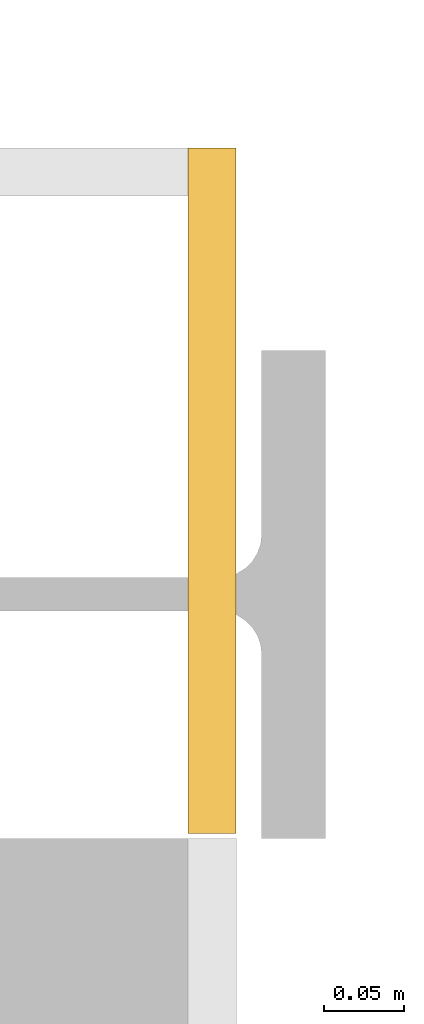
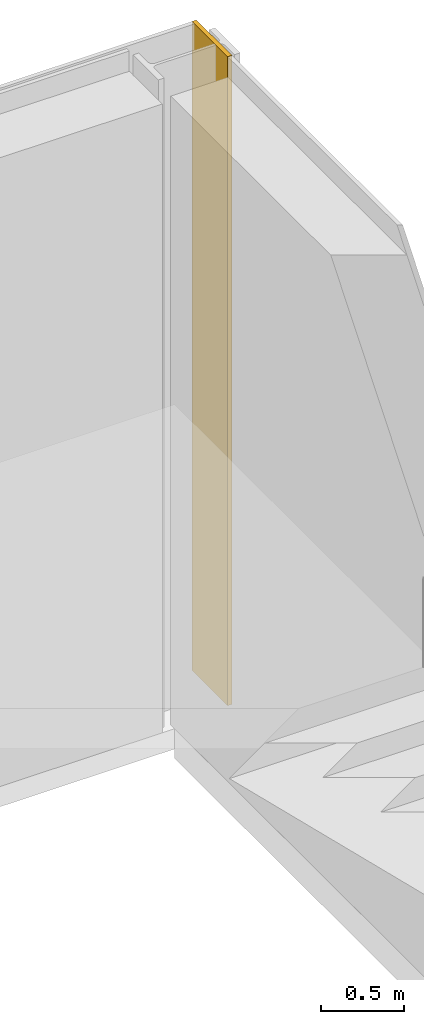
# One storey, part 59 of 61: 1 covering.
"""IFC4 building model written with IfcOpenShell, lengths in metres."""

from ifc_helpers import new_model, si_unit, direction, frame, origin, origin_2d, place, context, subcontext, project, spatial, rectangle, extrude, material, layer, layer_set, type_object, element, save


model = new_model("IFC4")

# Units and contexts
model_context = context("Model", 3, precision=1e-05, world=origin(), true_north=direction((0.0, 1.0)))
body_context = subcontext(model_context, "Body", "Model", "MODEL_VIEW")
ifc_project = project(units=[si_unit("LENGTHUNIT", "METRE"), si_unit("AREAUNIT", "SQUARE_METRE"), si_unit("VOLUMEUNIT", "CUBIC_METRE"), si_unit("PLANEANGLEUNIT", "RADIAN"), si_unit("MASSUNIT", "GRAM", prefix="KILO")], contexts=[model_context])

# Site, building, storey
site_placement = place(None, origin())
site = spatial("IfcSite", under=ifc_project, at=site_placement, CompositionType="ELEMENT")
building_placement = place(site_placement, origin())
building = spatial("IfcBuilding", under=site, at=building_placement, Name="Galleria Vessillo Department Store", CompositionType="ELEMENT")
storey_placement = place(building_placement, frame((0.0, 0.0, 11.39990234375)))
storey = spatial("IfcBuildingStorey", under=building, at=storey_placement, Name="L02", CompositionType="ELEMENT", Elevation=11.39990234375)

# Covering
ifc_material = material(Name="Lime plaster (intonaco) ochre")
ifc_layer = layer(ifc_material, 0.030029296875)
ifc_layer_set = layer_set([ifc_layer], Name="Lime plaster (intonaco) ochre")
covering_type = type_object("IfcCoveringType", Name="Lime plaster render 30 mm", PredefinedType="CLADDING", material=ifc_layer_set)
covering_placement = place(storey_placement, frame((117.81494140625, 63.06494140625, 0.0), z_axis=(0.0, 0.0, 1.0), x_axis=(1.0, 0.0, 0.0)))
element("IfcCovering", 1, at=covering_placement, inside=storey, type_object=covering_type, Name="Corner cladding L02 y=63 east face", PredefinedType="CLADDING", context=body_context, shape_type="SweptSolid", body=[
    extrude(rectangle(XDim=0.030029296875, YDim=0.429931640625, at=origin_2d()), origin(), (0.0, 0.0, 1.0), 4.800048828125),
])

save(model, "model.ifc")
